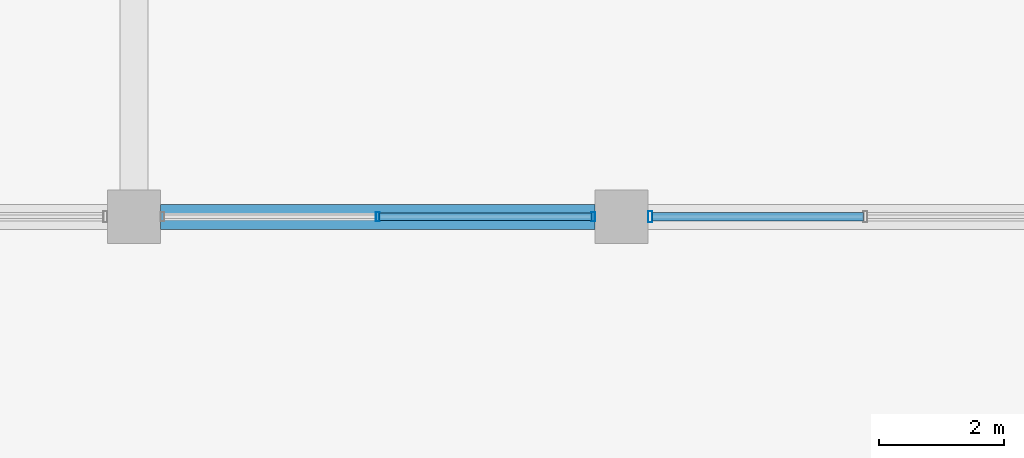
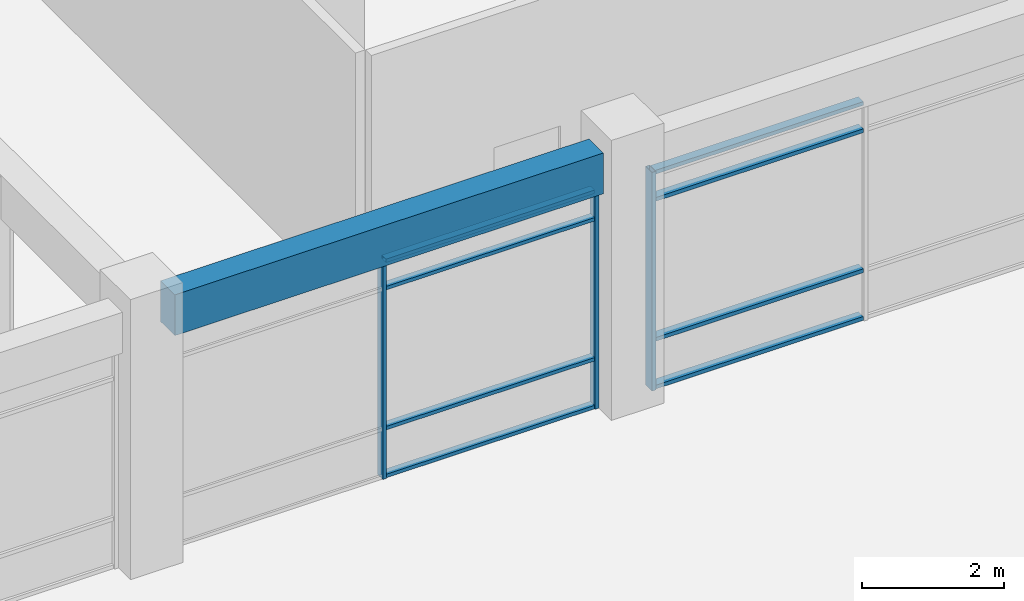
# One storey, part 26 of 74: 11 members, 1 beam, 2 elements without a shape of their own.
"""IFC4 building model written with IfcOpenShell, lengths in metres."""

from ifc_helpers import new_model, si_unit, direction, frame, origin, origin_2d, place, context, subcontext, project, spatial, rectangle, hollow_rectangle, extrude, material, material_profile, profile_set, type_object, element, aggregate, save


model = new_model("IFC4")

# Units and contexts
model_context = context("Model", 3, precision=1e-05, world=origin(), true_north=direction((0.0, 1.0)))
body_context = subcontext(model_context, "Body", "Model", "MODEL_VIEW")
ifc_project = project(units=[si_unit("LENGTHUNIT", "METRE"), si_unit("AREAUNIT", "SQUARE_METRE"), si_unit("VOLUMEUNIT", "CUBIC_METRE"), si_unit("PLANEANGLEUNIT", "RADIAN"), si_unit("MASSUNIT", "GRAM", prefix="KILO"), si_unit("THERMODYNAMICTEMPERATUREUNIT", "KELVIN"), si_unit("POWERUNIT", "WATT")], contexts=[model_context])

# Site, building, storey
site_placement = place(None, origin())
site = spatial("IfcSite", under=ifc_project, at=site_placement, CompositionType="ELEMENT")
building_placement = place(site_placement, origin())
building = spatial("IfcBuilding", under=site, at=building_placement, Name="Srebrne Nadtorze General Hospital", CompositionType="ELEMENT")
storey_placement = place(building_placement, origin())
storey = spatial("IfcBuildingStorey", under=building, at=storey_placement, Name="L00", CompositionType="ELEMENT", Elevation=0.0)

# Curtain wall, members
ifc_material_1 = material(Name="Anodised Aluminium", Category="aluminium")
curtain_wall_type = type_object("IfcCurtainWallType", Name="Unitised curtain wall 6950x3750", PredefinedType="NOTDEFINED", material=ifc_material_1)
curtain_wall_1_placement = place(storey_placement, origin())
curtain_wall_1 = element("IfcCurtainWall", 1, at=curtain_wall_1_placement, inside=storey, type_object=curtain_wall_type, Name="Curtain wall CW-016", PredefinedType="NOTDEFINED")
ifc_material_2 = material(Name="Anodised Aluminium", Category="aluminium")
ifc_material_profile_1 = material_profile(ifc_material_2, hollow_rectangle(XDim=0.06005859375, YDim=0.14990234375, WallThickness=0.00390625, at=origin_2d()), Name="AL-MUL-60x150")
ifc_profile_set_1 = profile_set([ifc_material_profile_1], Name="Anodised Aluminium")
member_type_1 = type_object("IfcMemberType", Name="Curtain mullion 60x150", PredefinedType="MULLION", material=ifc_profile_set_1)
member_1_placement = place(storey_placement, frame((81.89990234375, 50.39990234375, 0.0), z_axis=(0.0, 0.0, 1.0), x_axis=(1.0, 0.0, 0.0)))
member_1 = element("IfcMember", 2, at=member_1_placement, type_object=member_type_1, Name="CW-016 mullion 2", PredefinedType="MULLION", context=body_context, shape_type="SweptSolid", body=[
    extrude(hollow_rectangle(XDim=0.06005859375, YDim=0.14990234375, WallThickness=0.00390625, at=origin_2d()), origin(), (0.0, 0.0, 1.0), 3.75),
])
member_2_placement = place(storey_placement, frame((85.344970703125, 50.39990234375, 0.0), z_axis=(0.0, 0.0, 1.0), x_axis=(1.0, 0.0, 0.0)))
member_2 = element("IfcMember", 3, at=member_2_placement, type_object=member_type_1, Name="CW-016 mullion 3", PredefinedType="MULLION", context=body_context, shape_type="SweptSolid", body=[
    extrude(hollow_rectangle(XDim=0.06005859375, YDim=0.14990234375, WallThickness=0.00390625, at=origin_2d()), origin(), (0.0, 0.0, 1.0), 3.75),
])

# Curtain wall, member
curtain_wall_2_placement = place(storey_placement, origin())
curtain_wall_2 = element("IfcCurtainWall", 4, at=curtain_wall_2_placement, inside=storey, type_object=curtain_wall_type, Name="Curtain wall CW-017", PredefinedType="NOTDEFINED")
ifc_material_3 = material(Name="Anodised Aluminium", Category="aluminium")
ifc_material_profile_2 = material_profile(ifc_material_3, hollow_rectangle(XDim=0.06494140625, YDim=0.179931640625, WallThickness=0.00390625, at=origin_2d()), Name="AL-MUL-65x180")
ifc_profile_set_2 = profile_set([ifc_material_profile_2], Name="Anodised Aluminium")
member_type_2 = type_object("IfcMemberType", Name="Curtain mullion 65x180", PredefinedType="MULLION", material=ifc_profile_set_2)
member_3_placement = place(storey_placement, frame((86.257568359375, 50.39990234375, 0.0), z_axis=(0.0, 0.0, 1.0), x_axis=(1.0, 0.0, 0.0)))
member_3 = element("IfcMember", 5, at=member_3_placement, type_object=member_type_2, Name="CW-017 mullion 1", PredefinedType="MULLION", context=body_context, shape_type="SweptSolid", body=[
    extrude(hollow_rectangle(XDim=0.06494140625, YDim=0.179931640625, WallThickness=0.00390625, at=origin_2d()), origin(), (0.0, 0.0, 1.0), 3.75),
])

# Member
ifc_material_4 = material(Name="Anodised Aluminium", Category="aluminium")
ifc_material_profile_3 = material_profile(ifc_material_4, hollow_rectangle(XDim=0.06005859375, YDim=0.1201171875, WallThickness=0.00390625, at=origin_2d()), Name="AL-TRN-60x120")
ifc_profile_set_3 = profile_set([ifc_material_profile_3], Name="Anodised Aluminium")
member_type_3 = type_object("IfcMemberType", Name="Curtain transom 60x120", PredefinedType="USERDEFINED", material=ifc_profile_set_3)
member_4_placement = place(storey_placement, frame((81.929931640625, 50.39990234375, 0.030029296875), z_axis=(1.0, 0.0, 0.0), x_axis=(0.0, 0.0, 1.0)))
member_4 = element("IfcMember", 6, at=member_4_placement, type_object=member_type_3, Name="CW-016 transom 2.1", ObjectType="TRANSOM", PredefinedType="USERDEFINED", context=body_context, shape_type="SweptSolid", body=[
    extrude(hollow_rectangle(XDim=0.06005859375, YDim=0.1201171875, WallThickness=0.00390625, at=origin_2d()), origin(), (0.0, 0.0, 1.0), 3.385009765625),
])

member_5_placement = place(storey_placement, frame((81.929931640625, 50.39990234375, 0.85009765625), z_axis=(1.0, 0.0, 0.0), x_axis=(0.0, 0.0, 1.0)))
member_5 = element("IfcMember", 7, at=member_5_placement, type_object=member_type_3, Name="CW-016 transom 2.2", ObjectType="TRANSOM", PredefinedType="USERDEFINED", context=body_context, shape_type="SweptSolid", body=[
    extrude(hollow_rectangle(XDim=0.06005859375, YDim=0.1201171875, WallThickness=0.00390625, at=origin_2d()), origin(), (0.0, 0.0, 1.0), 3.385009765625),
])

member_6_placement = place(storey_placement, frame((81.929931640625, 50.39990234375, 3.25), z_axis=(1.0, 0.0, 0.0), x_axis=(0.0, 0.0, 1.0)))
member_6 = element("IfcMember", 8, at=member_6_placement, type_object=member_type_3, Name="CW-016 transom 2.3", ObjectType="TRANSOM", PredefinedType="USERDEFINED", context=body_context, shape_type="SweptSolid", body=[
    extrude(hollow_rectangle(XDim=0.06005859375, YDim=0.1201171875, WallThickness=0.00390625, at=origin_2d()), origin(), (0.0, 0.0, 1.0), 3.385009765625),
])

member_7_placement = place(storey_placement, frame((81.929931640625, 50.39990234375, 3.719970703125), z_axis=(1.0, 0.0, 0.0), x_axis=(0.0, 0.0, 1.0)))
member_7 = element("IfcMember", 9, at=member_7_placement, type_object=member_type_3, Name="CW-016 transom 2.4", ObjectType="TRANSOM", PredefinedType="USERDEFINED", context=body_context, shape_type="SweptSolid", body=[
    extrude(hollow_rectangle(XDim=0.06005859375, YDim=0.1201171875, WallThickness=0.00390625, at=origin_2d()), origin(), (0.0, 0.0, 1.0), 3.385009765625),
])

aggregate(curtain_wall_1, [member_1, member_2, member_4, member_5, member_6, member_7])

ifc_material_5 = material(Name="Anodised Aluminium", Category="aluminium")
ifc_material_profile_4 = material_profile(ifc_material_5, hollow_rectangle(XDim=0.06494140625, YDim=0.139892578125, WallThickness=0.00390625, at=origin_2d()), Name="AL-TRN-65x140")
ifc_profile_set_4 = profile_set([ifc_material_profile_4], Name="Anodised Aluminium")
member_type_4 = type_object("IfcMemberType", Name="Curtain transom 65x140", PredefinedType="USERDEFINED", material=ifc_profile_set_4)
member_8_placement = place(storey_placement, frame((86.2900390625, 50.39990234375, 0.032470703125), z_axis=(1.0, 0.0, 0.0), x_axis=(0.0, 0.0, 1.0)))
member_8 = element("IfcMember", 10, at=member_8_placement, type_object=member_type_4, Name="CW-017 transom 1.1", ObjectType="TRANSOM", PredefinedType="USERDEFINED", context=body_context, shape_type="SweptSolid", body=[
    extrude(hollow_rectangle(XDim=0.06494140625, YDim=0.139892578125, WallThickness=0.00390625, at=origin_2d()), origin(), (0.0, 0.0, 1.0), 3.37744140625),
])

member_9_placement = place(storey_placement, frame((86.2900390625, 50.39990234375, 0.85009765625), z_axis=(1.0, 0.0, 0.0), x_axis=(0.0, 0.0, 1.0)))
member_9 = element("IfcMember", 11, at=member_9_placement, type_object=member_type_4, Name="CW-017 transom 1.2", ObjectType="TRANSOM", PredefinedType="USERDEFINED", context=body_context, shape_type="SweptSolid", body=[
    extrude(hollow_rectangle(XDim=0.06494140625, YDim=0.139892578125, WallThickness=0.00390625, at=origin_2d()), origin(), (0.0, 0.0, 1.0), 3.37744140625),
])

member_10_placement = place(storey_placement, frame((86.2900390625, 50.39990234375, 3.25), z_axis=(1.0, 0.0, 0.0), x_axis=(0.0, 0.0, 1.0)))
member_10 = element("IfcMember", 12, at=member_10_placement, type_object=member_type_4, Name="CW-017 transom 1.3", ObjectType="TRANSOM", PredefinedType="USERDEFINED", context=body_context, shape_type="SweptSolid", body=[
    extrude(hollow_rectangle(XDim=0.06494140625, YDim=0.139892578125, WallThickness=0.00390625, at=origin_2d()), origin(), (0.0, 0.0, 1.0), 3.37744140625),
])

member_11_placement = place(storey_placement, frame((86.2900390625, 50.39990234375, 3.717529296875), z_axis=(1.0, 0.0, 0.0), x_axis=(0.0, 0.0, 1.0)))
member_11 = element("IfcMember", 13, at=member_11_placement, type_object=member_type_4, Name="CW-017 transom 1.4", ObjectType="TRANSOM", PredefinedType="USERDEFINED", context=body_context, shape_type="SweptSolid", body=[
    extrude(hollow_rectangle(XDim=0.06494140625, YDim=0.139892578125, WallThickness=0.00390625, at=origin_2d()), origin(), (0.0, 0.0, 1.0), 3.37744140625),
])

aggregate(curtain_wall_2, [member_3, member_8, member_9, member_10, member_11])

# Beam
ifc_material_6 = material(Name="Concrete C40/50", Category="concrete")
ifc_material_profile_5 = material_profile(ifc_material_6, rectangle(XDim=0.39990234375, YDim=0.699951171875, at=origin_2d()), Name="RC-BM-400x700")
ifc_profile_set_5 = profile_set([ifc_material_profile_5], Name="Concrete C40/50")
beam_type = type_object("IfcBeamType", Name="Edge beam RC 400x700", PredefinedType="BEAM", material=ifc_profile_set_5)
beam_placement = place(storey_placement, frame((78.425048828125, 50.39990234375, 4.10009765625), z_axis=(1.0, 0.0, 0.0), x_axis=(0.0, 1.0, 0.0)))
element("IfcBeam", 14, at=beam_placement, inside=storey, type_object=beam_type, Name="Beam BM-L00-X-0230", PredefinedType="BEAM", context=body_context, shape_type="SweptSolid", body=[
    extrude(rectangle(XDim=0.39990234375, YDim=0.699951171875, at=origin_2d()), origin(), (0.0, 0.0, 1.0), 6.949951171875),
])

save(model, "model.ifc")
